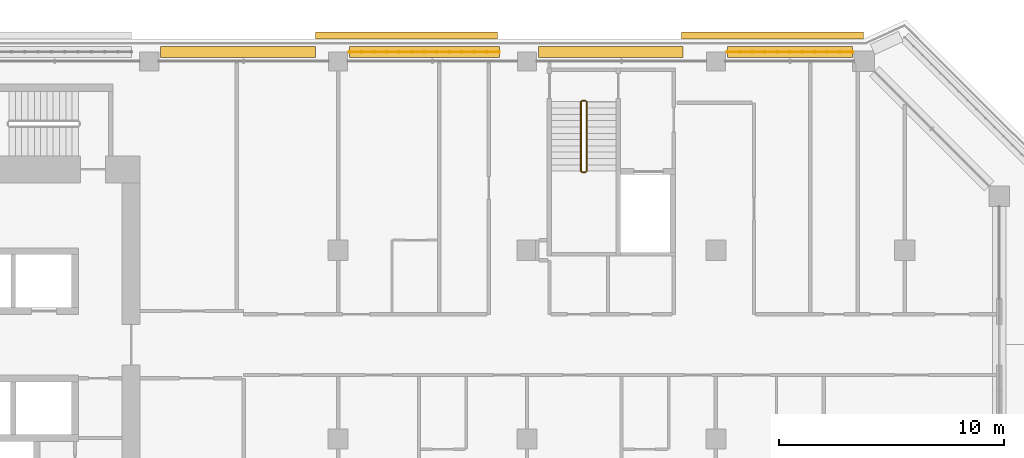
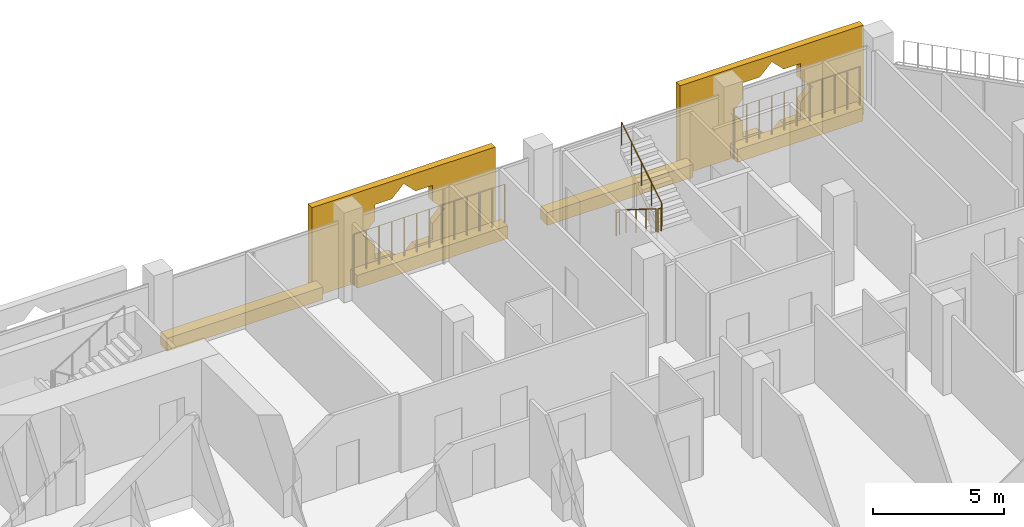
# One storey, part 20 of 21: 6 coverings, 6 railings.
"""IFC4 building model written with IfcOpenShell, lengths in metres."""

from ifc_helpers import new_model, si_unit, direction, frame, origin, origin_2d, place, context, subcontext, project, spatial, polyline, rectangle, circle, outline, extrude, material, material_profile, profile_set, type_object, element, save


model = new_model("IFC4")

# Units and contexts
model_context = context("Model", 3, precision=1e-05, world=origin(), true_north=direction((0.0, 1.0)))
body_context = subcontext(model_context, "Body", "Model", "MODEL_VIEW")
ifc_project = project(units=[si_unit("LENGTHUNIT", "METRE"), si_unit("AREAUNIT", "SQUARE_METRE"), si_unit("VOLUMEUNIT", "CUBIC_METRE"), si_unit("PLANEANGLEUNIT", "RADIAN"), si_unit("MASSUNIT", "GRAM", prefix="KILO")], contexts=[model_context])

# Site, building, storey
site_placement = place(None, origin())
site = spatial("IfcSite", under=ifc_project, at=site_placement, CompositionType="ELEMENT")
building_placement = place(site_placement, origin())
building = spatial("IfcBuilding", under=site, at=building_placement, Name="Kawkab Arch Medical Tower", CompositionType="ELEMENT")
storey_placement = place(building_placement, frame((0.0, 0.0, 243.199951171875)))
storey = spatial("IfcBuildingStorey", under=building, at=storey_placement, Name="L56", CompositionType="ELEMENT", Elevation=243.199951171875)

# Coverings
ifc_material_1 = material(Name="Bronze anodised aluminium mashrabiya panel, eight-point star pattern", Category="aluminium")
ifc_material_profile_1 = material_profile(ifc_material_1, outline(polyline([(-4.050048828125, -2.10009765625), (4.050048828125, -2.10009765625), (4.050048828125, 2.10009765625), (-4.050048828125, 2.10009765625), (-4.050048828125, -2.10009765625)]), holes=[polyline([(1.800048828125, 0.0), (1.272705078125, 0.527099609375), (1.272705078125, 1.272705078125), (0.527099609375, 1.272705078125), (0.0, 1.800048828125), (-0.527099609375, 1.272705078125), (-1.272705078125, 1.272705078125), (-1.272705078125, 0.527099609375), (-1.800048828125, 0.0), (-1.272705078125, -0.527099609375), (-1.272705078125, -1.272705078125), (-0.527099609375, -1.272705078125), (0.0, -1.800048828125), (0.527099609375, -1.272705078125), (1.272705078125, -1.272705078125), (1.272705078125, -0.527099609375), (1.800048828125, 0.0)])]), Name="Mashrabiya panel 8100x4200")
ifc_profile_set_1 = profile_set([ifc_material_profile_1], Name="Bronze anodised aluminium mashrabiya panel, eight-point star pattern")
covering_type_1 = type_object("IfcCoveringType", Name="Mashrabiya panel 8100 x 4200", PredefinedType="USERDEFINED", material=ifc_profile_set_1)
for number, where, z_axis, x_axis, name in (
    (1, (36.6435546875, 1.0, 1.699951171875), (0.0, 1.0, 0.0), (-1.0, 0.0, 0.0), "Mashrabiya panel L56.LOG-01-01.7"),
    (2, (52.910400390625, 1.0, 1.699951171875), (0.0, 1.0, 0.0), (-1.0, 0.0, 0.0), "Mashrabiya panel L56.LOG-01-01.8"),
):
    element("IfcCovering", number, at=place(storey_placement, frame(where, z_axis=z_axis, x_axis=x_axis)), inside=storey, type_object=covering_type_1, Name=name, ObjectType="SCREEN", PredefinedType="USERDEFINED", context=body_context, shape_type="SweptSolid", body=[
        extrude(outline(polyline([(-4.050048828125, -2.10009765625), (4.050048828125, -2.10009765625), (4.050048828125, 2.10009765625), (-4.050048828125, 2.10009765625), (-4.050048828125, -2.10009765625)]), holes=[polyline([(1.800048828125, 0.0), (1.272705078125, 0.527099609375), (1.272705078125, 1.272705078125), (0.527099609375, 1.272705078125), (0.0, 1.800048828125), (-0.527099609375, 1.272705078125), (-1.272705078125, 1.272705078125), (-1.272705078125, 0.527099609375), (-1.800048828125, 0.0), (-1.272705078125, -0.527099609375), (-1.272705078125, -1.272705078125), (-0.527099609375, -1.272705078125), (0.0, -1.800048828125), (0.527099609375, -1.272705078125), (1.272705078125, -1.272705078125), (1.272705078125, -0.527099609375), (1.800048828125, 0.0)])]), origin(), (0.0, 0.0, 1.0), 0.300048828125),
    ])
ifc_material_2 = material(Name="Planting soil in a precast trough", Category="concrete")
ifc_material_profile_2 = material_profile(ifc_material_2, rectangle(XDim=0.5, YDim=0.60009765625, at=origin_2d()), Name="Trough 500x600")
ifc_profile_set_2 = profile_set([ifc_material_profile_2], Name="Planting soil in a precast trough")
covering_type_2 = type_object("IfcCoveringType", Name="Planter trough 500 x 600", PredefinedType="USERDEFINED", material=ifc_profile_set_2)
covering_1_placement = place(storey_placement, frame((25.705078125, 0.419921875, 0.300048828125), z_axis=(1.0, 0.0, 0.0), x_axis=(0.0, 1.0, 0.0)))
element("IfcCovering", 3, at=covering_1_placement, inside=storey, type_object=covering_type_2, Name="Planter L56.LOG-01-01.20", ObjectType="PLANTER", PredefinedType="USERDEFINED", context=body_context, shape_type="SweptSolid", body=[
    extrude(rectangle(XDim=0.5, YDim=0.60009765625, at=origin_2d()), origin(), (0.0, 0.0, 1.0), 6.884033203125),
])
covering_2_placement = place(storey_placement, frame((34.10498046875, 0.419921875, 0.300048828125), z_axis=(1.0, 0.0, 0.0), x_axis=(0.0, 1.0, 0.0)))
element("IfcCovering", 4, at=covering_2_placement, inside=storey, type_object=covering_type_2, Name="Planter L56.LOG-01-01.21", ObjectType="PLANTER", PredefinedType="USERDEFINED", context=body_context, shape_type="SweptSolid", body=[
    extrude(rectangle(XDim=0.5, YDim=0.60009765625, at=origin_2d()), origin(), (0.0, 0.0, 1.0), 6.6630859375),
])
covering_3_placement = place(storey_placement, frame((42.5048828125, 0.419921875, 0.300048828125), z_axis=(1.0, 0.0, 0.0), x_axis=(0.0, 1.0, 0.0)))
element("IfcCovering", 5, at=covering_3_placement, inside=storey, type_object=covering_type_2, Name="Planter L56.LOG-01-01.22", ObjectType="PLANTER", PredefinedType="USERDEFINED", context=body_context, shape_type="SweptSolid", body=[
    extrude(rectangle(XDim=0.5, YDim=0.60009765625, at=origin_2d()), origin(), (0.0, 0.0, 1.0), 6.442138671875),
])
covering_4_placement = place(storey_placement, frame((50.905029296875, 0.419921875, 0.300048828125), z_axis=(1.0, 0.0, 0.0), x_axis=(0.0, 1.0, 0.0)))
element("IfcCovering", 6, at=covering_4_placement, inside=storey, type_object=covering_type_2, Name="Planter L56.LOG-01-01.23", ObjectType="PLANTER", PredefinedType="USERDEFINED", context=body_context, shape_type="SweptSolid", body=[
    extrude(rectangle(XDim=0.5, YDim=0.60009765625, at=origin_2d()), origin(), (0.0, 0.0, 1.0), 5.56494140625),
])

# Railings
ifc_material_3 = material(Name="Bronze anodised aluminium trellis for climbing plants", Category="aluminium")
railing_type_1 = type_object("IfcRailingType", Name="Planting trellis 2400", PredefinedType="USERDEFINED", material=ifc_material_3)
railing_1_placement = place(storey_placement, frame((34.10498046875, 0.419921875, 0.0)))
element("IfcRailing", 7, at=railing_1_placement, inside=storey, type_object=railing_type_1, Name="Planting trellis L56.LOG-01-01.21", ObjectType="TRELLIS", PredefinedType="USERDEFINED", context=body_context, shape_type="SweptSolid", body=[
    extrude(circle(Radius=0.01513671875, at=origin_2d()), frame((0.0, 0.0, 2.384765625), z_axis=(1.0, 0.0, 0.0), x_axis=(0.0, 1.0, 0.0)), (0.0, 0.0, 1.0), 6.6630859375),
    extrude(circle(Radius=0.030029296875, at=origin_2d()), origin(), (0.0, 0.0, 1.0), 2.369873046875),
    extrude(circle(Radius=0.030029296875, at=origin_2d()), frame((0.55517578125, 0.0, 0.0)), (0.0, 0.0, 1.0), 2.369873046875),
    extrude(circle(Radius=0.030029296875, at=origin_2d()), frame((1.110595703125, 0.0, 0.0)), (0.0, 0.0, 1.0), 2.369873046875),
    extrude(circle(Radius=0.030029296875, at=origin_2d()), frame((1.665771484375, 0.0, 0.0)), (0.0, 0.0, 1.0), 2.369873046875),
    extrude(circle(Radius=0.030029296875, at=origin_2d()), frame((2.220947265625, 0.0, 0.0)), (0.0, 0.0, 1.0), 2.369873046875),
    extrude(circle(Radius=0.030029296875, at=origin_2d()), frame((2.7763671875, 0.0, 0.0)), (0.0, 0.0, 1.0), 2.369873046875),
    extrude(circle(Radius=0.030029296875, at=origin_2d()), frame((3.33154296875, 0.0, 0.0)), (0.0, 0.0, 1.0), 2.369873046875),
    extrude(circle(Radius=0.030029296875, at=origin_2d()), frame((3.88671875, 0.0, 0.0)), (0.0, 0.0, 1.0), 2.369873046875),
    extrude(circle(Radius=0.030029296875, at=origin_2d()), frame((4.442138671875, 0.0, 0.0)), (0.0, 0.0, 1.0), 2.369873046875),
    extrude(circle(Radius=0.030029296875, at=origin_2d()), frame((4.997314453125, 0.0, 0.0)), (0.0, 0.0, 1.0), 2.369873046875),
    extrude(circle(Radius=0.030029296875, at=origin_2d()), frame((5.552490234375, 0.0, 0.0)), (0.0, 0.0, 1.0), 2.369873046875),
    extrude(circle(Radius=0.030029296875, at=origin_2d()), frame((6.10791015625, 0.0, 0.0)), (0.0, 0.0, 1.0), 2.369873046875),
    extrude(circle(Radius=0.030029296875, at=origin_2d()), frame((6.6630859375, 0.0, 0.0)), (0.0, 0.0, 1.0), 2.369873046875),
])
railing_2_placement = place(storey_placement, frame((50.905029296875, 0.419921875, 0.0)))
element("IfcRailing", 8, at=railing_2_placement, inside=storey, type_object=railing_type_1, Name="Planting trellis L56.LOG-01-01.23", ObjectType="TRELLIS", PredefinedType="USERDEFINED", context=body_context, shape_type="SweptSolid", body=[
    extrude(circle(Radius=0.01513671875, at=origin_2d()), frame((0.0, 0.0, 2.384765625), z_axis=(1.0, 0.0, 0.0), x_axis=(0.0, 1.0, 0.0)), (0.0, 0.0, 1.0), 5.56494140625),
    extrude(circle(Radius=0.030029296875, at=origin_2d()), origin(), (0.0, 0.0, 1.0), 2.369873046875),
    extrude(circle(Radius=0.030029296875, at=origin_2d()), frame((0.556396484375, 0.0, 0.0)), (0.0, 0.0, 1.0), 2.369873046875),
    extrude(circle(Radius=0.030029296875, at=origin_2d()), frame((1.113037109375, 0.0, 0.0)), (0.0, 0.0, 1.0), 2.369873046875),
    extrude(circle(Radius=0.030029296875, at=origin_2d()), frame((1.66943359375, 0.0, 0.0)), (0.0, 0.0, 1.0), 2.369873046875),
    extrude(circle(Radius=0.030029296875, at=origin_2d()), frame((2.22607421875, 0.0, 0.0)), (0.0, 0.0, 1.0), 2.369873046875),
    extrude(circle(Radius=0.030029296875, at=origin_2d()), frame((2.782470703125, 0.0, 0.0)), (0.0, 0.0, 1.0), 2.369873046875),
    extrude(circle(Radius=0.030029296875, at=origin_2d()), frame((3.3388671875, 0.0, 0.0)), (0.0, 0.0, 1.0), 2.369873046875),
    extrude(circle(Radius=0.030029296875, at=origin_2d()), frame((3.8955078125, 0.0, 0.0)), (0.0, 0.0, 1.0), 2.369873046875),
    extrude(circle(Radius=0.030029296875, at=origin_2d()), frame((4.451904296875, 0.0, 0.0)), (0.0, 0.0, 1.0), 2.369873046875),
    extrude(circle(Radius=0.030029296875, at=origin_2d()), frame((5.008544921875, 0.0, 0.0)), (0.0, 0.0, 1.0), 2.369873046875),
    extrude(circle(Radius=0.030029296875, at=origin_2d()), frame((5.56494140625, 0.0, 0.0)), (0.0, 0.0, 1.0), 2.369873046875),
])
ifc_material_4 = material(Name="Stainless steel", Category="steel")
railing_type_2 = type_object("IfcRailingType", Name="Stair guard 1100", PredefinedType="GUARDRAIL", material=ifc_material_4)
railing_3_placement = place(storey_placement, frame((44.39990234375, -1.800048828125, 0.175048828125)))
element("IfcRailing", 9, at=railing_3_placement, inside=storey, type_object=railing_type_2, Name="L56 ST5 stair guard 1", PredefinedType="GUARDRAIL", context=body_context, shape_type="SweptSolid", body=[
    extrude(circle(Radius=0.02392578125, at=origin_2d()), frame((0.0, 0.0, 1.076171875), z_axis=(0.0, -0.847979421464, 0.530029150871), x_axis=(1.0, 0.0, 0.0)), (0.0, 0.0, 1.0), 3.632080078125),
    extrude(circle(Radius=0.02099609375, at=origin_2d()), origin(), (0.0, 0.0, 1.0), 1.052001953125),
    extrude(circle(Radius=0.02099609375, at=origin_2d()), frame((0.0, -0.77001953125, 0.481201171875)), (0.0, 0.0, 1.0), 1.052001953125),
    extrude(circle(Radius=0.02099609375, at=origin_2d()), frame((0.0, -1.5400390625, 0.96240234375)), (0.0, 0.0, 1.0), 1.052001953125),
    extrude(circle(Radius=0.02099609375, at=origin_2d()), frame((0.0, -2.309814453125, 1.44384765625)), (0.0, 0.0, 1.0), 1.052001953125),
    extrude(circle(Radius=0.02099609375, at=origin_2d()), frame((0.0, -3.079833984375, 1.925048828125)), (0.0, 0.0, 1.0), 1.052001953125),
])
railing_4_placement = place(storey_placement, frame((44.449951171875, -4.929931640625, 2.10009765625)))
element("IfcRailing", 10, at=railing_4_placement, inside=storey, type_object=railing_type_2, Name="L56 ST5 stair guard 2", PredefinedType="GUARDRAIL", context=body_context, shape_type="SweptSolid", body=[
    extrude(circle(Radius=0.02392578125, at=origin_2d()), frame((0.0, 0.0, 1.076171875), z_axis=(1.0, 0.0, 0.0), x_axis=(0.0, 1.0, 0.0)), (0.0, 0.0, 1.0), 0.150146484375),
    extrude(circle(Radius=0.02099609375, at=origin_2d()), origin(), (0.0, 0.0, 1.0), 1.052001953125),
    extrude(circle(Radius=0.02099609375, at=origin_2d()), frame((0.150146484375, 0.0, 0.0)), (0.0, 0.0, 1.0), 1.052001953125),
])
railing_5_placement = place(storey_placement, frame((44.64990234375, -4.8798828125, 2.275146484375)))
element("IfcRailing", 11, at=railing_5_placement, inside=storey, type_object=railing_type_2, Name="L56 ST5 stair guard 3", PredefinedType="GUARDRAIL", context=body_context, shape_type="SweptSolid", body=[
    extrude(circle(Radius=0.02392578125, at=origin_2d()), frame((0.0, 0.0, 1.076171875), z_axis=(0.0, 0.848009633417, 0.529980812513), x_axis=(-1.0, 0.0, 0.0)), (0.0, 0.0, 1.0), 3.6318359375),
    extrude(circle(Radius=0.02099609375, at=origin_2d()), origin(), (0.0, 0.0, 1.0), 1.052001953125),
    extrude(circle(Radius=0.02099609375, at=origin_2d()), frame((0.0, 0.77001953125, 0.481201171875)), (0.0, 0.0, 1.0), 1.052001953125),
    extrude(circle(Radius=0.02099609375, at=origin_2d()), frame((0.0, 1.5400390625, 0.96240234375)), (0.0, 0.0, 1.0), 1.052001953125),
    extrude(circle(Radius=0.02099609375, at=origin_2d()), frame((0.0, 2.309814453125, 1.443603515625)), (0.0, 0.0, 1.0), 1.052001953125),
    extrude(circle(Radius=0.02099609375, at=origin_2d()), frame((0.0, 3.079833984375, 1.9248046875)), (0.0, 0.0, 1.0), 1.052001953125),
])
railing_6_placement = place(storey_placement, frame((44.449951171875, -1.75, 0.0)))
element("IfcRailing", 12, at=railing_6_placement, inside=storey, type_object=railing_type_2, Name="L56 ST5 stair guard 4", PredefinedType="GUARDRAIL", context=body_context, shape_type="SweptSolid", body=[
    extrude(circle(Radius=0.02392578125, at=origin_2d()), frame((0.0, 0.0, 1.076171875), z_axis=(1.0, 0.0, 0.0), x_axis=(0.0, 1.0, 0.0)), (0.0, 0.0, 1.0), 0.150146484375),
    extrude(circle(Radius=0.02099609375, at=origin_2d()), origin(), (0.0, 0.0, 1.0), 1.052001953125),
    extrude(circle(Radius=0.02099609375, at=origin_2d()), frame((0.150146484375, 0.0, 0.0)), (0.0, 0.0, 1.0), 1.052001953125),
])

save(model, "model.ifc")
